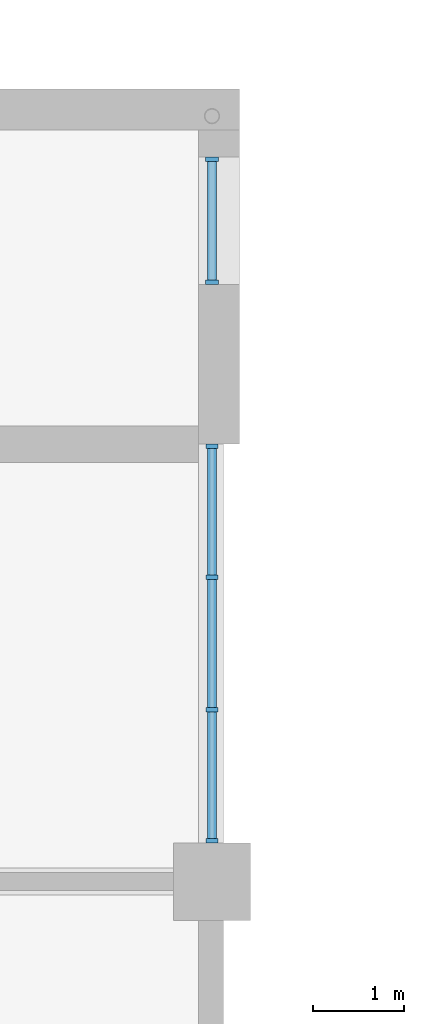
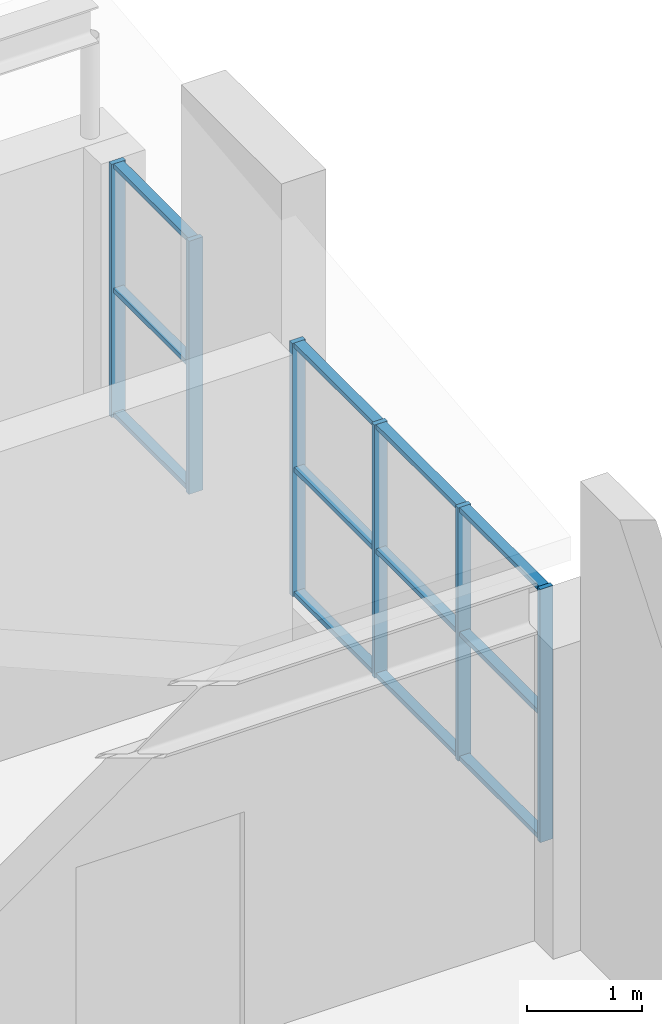
# One storey, part 34 of 94: 18 members, 2 elements without a shape of their own.
"""IFC4 building model written with IfcOpenShell, lengths in metres."""

from ifc_helpers import new_model, si_unit, direction, frame, origin, origin_2d, place, context, subcontext, project, spatial, rectangle, extrude, material, material_profile, profile_set, type_object, element, aggregate, save


model = new_model("IFC4")

# Units and contexts
model_context = context("Model", 3, precision=1e-05, world=origin(), true_north=direction((0.0, 1.0)))
body_context = subcontext(model_context, "Body", "Model", "MODEL_VIEW")
ifc_project = project(units=[si_unit("LENGTHUNIT", "METRE"), si_unit("AREAUNIT", "SQUARE_METRE"), si_unit("VOLUMEUNIT", "CUBIC_METRE"), si_unit("PLANEANGLEUNIT", "RADIAN"), si_unit("MASSUNIT", "GRAM", prefix="KILO")], contexts=[model_context])

# Site, building, storey
site_placement = place(None, origin())
site = spatial("IfcSite", under=ifc_project, at=site_placement, CompositionType="ELEMENT")
building_placement = place(site_placement, origin())
building = spatial("IfcBuilding", under=site, at=building_placement, Name="Yavir Park General Hospital", CompositionType="ELEMENT")
storey_placement = place(building_placement, frame((0.0, 0.0, 4.5)))
storey = spatial("IfcBuildingStorey", under=building, at=storey_placement, Name="L01", CompositionType="ELEMENT", Elevation=4.5)

# Curtain wall, members
ifc_material_1 = material(Name="Aluminium curtain wall frame with insulated glazing", Category="aluminium")
curtain_wall_type_1 = type_object("IfcCurtainWallType", Name="Clinical corridor end glazing, 2700 high, 1400 module", PredefinedType="NOTDEFINED", material=ifc_material_1)
curtain_wall_1_placement = place(storey_placement, origin())
curtain_wall_1 = element("IfcCurtainWall", 1, at=curtain_wall_1_placement, inside=storey, type_object=curtain_wall_type_1, Name="CW54 L01-026", PredefinedType="NOTDEFINED")
ifc_material_2 = material(Name="Aluminium", Category="aluminium")
ifc_material_profile_1 = material_profile(ifc_material_2, rectangle(XDim=0.1298828125, YDim=0.050048828125, at=origin_2d()), Name="AL 50x130")
ifc_profile_set_1 = profile_set([ifc_material_profile_1], Name="Aluminium")
member_type_1 = type_object("IfcMemberType", Name="Clinical corridor end glazing, 2700 high mullion 50 x 130", PredefinedType="MULLION", material=ifc_profile_set_1)
member_1_placement = place(storey_placement, frame((67.199951171875, 67.64990234375, 0.60009765625), z_axis=(0.0, 0.0, 1.0), x_axis=(-1.0, 0.0, 0.0)))
member_1 = element("IfcMember", 2, at=member_1_placement, type_object=member_type_1, Name="CW54 mullion 1", PredefinedType="MULLION", context=body_context, shape_type="SweptSolid", body=[
    extrude(rectangle(XDim=0.1298828125, YDim=0.050048828125, at=origin_2d()), origin(), (0.0, 0.0, 1.0), 2.699951171875),
])
member_2_placement = place(storey_placement, frame((67.199951171875, 69.083251953125, 0.60009765625), z_axis=(0.0, 0.0, 1.0), x_axis=(-1.0, 0.0, 0.0)))
member_2 = element("IfcMember", 3, at=member_2_placement, type_object=member_type_1, Name="CW54 mullion 2", PredefinedType="MULLION", context=body_context, shape_type="SweptSolid", body=[
    extrude(rectangle(XDim=0.1298828125, YDim=0.050048828125, at=origin_2d()), origin(), (0.0, 0.0, 1.0), 2.699951171875),
])
member_3_placement = place(storey_placement, frame((67.199951171875, 70.541748046875, 0.60009765625), z_axis=(0.0, 0.0, 1.0), x_axis=(-1.0, 0.0, 0.0)))
member_3 = element("IfcMember", 4, at=member_3_placement, type_object=member_type_1, Name="CW54 mullion 3", PredefinedType="MULLION", context=body_context, shape_type="SweptSolid", body=[
    extrude(rectangle(XDim=0.1298828125, YDim=0.050048828125, at=origin_2d()), origin(), (0.0, 0.0, 1.0), 2.699951171875),
])
member_4_placement = place(storey_placement, frame((67.199951171875, 71.97509765625, 0.60009765625), z_axis=(0.0, 0.0, 1.0), x_axis=(-1.0, 0.0, 0.0)))
member_4 = element("IfcMember", 5, at=member_4_placement, type_object=member_type_1, Name="CW54 mullion 4", PredefinedType="MULLION", context=body_context, shape_type="SweptSolid", body=[
    extrude(rectangle(XDim=0.1298828125, YDim=0.050048828125, at=origin_2d()), origin(), (0.0, 0.0, 1.0), 2.699951171875),
])
ifc_material_3 = material(Name="Aluminium", Category="aluminium")
ifc_material_profile_2 = material_profile(ifc_material_3, rectangle(XDim=0.10009765625, YDim=0.050048828125, at=origin_2d()), Name="AL 100x50")
ifc_profile_set_2 = profile_set([ifc_material_profile_2], Name="Aluminium")
member_type_2 = type_object("IfcMemberType", Name="Clinical corridor end glazing, 2700 high transom 50 x 100", PredefinedType="MULLION", material=ifc_profile_set_2)
member_5_placement = place(storey_placement, frame((67.199951171875, 67.675048828125, 0.625), z_axis=(0.0, 1.0, 0.0), x_axis=(-1.0, 0.0, 0.0)))
member_5 = element("IfcMember", 6, at=member_5_placement, type_object=member_type_2, Name="CW54 transom 1.1", PredefinedType="MULLION", context=body_context, shape_type="SweptSolid", body=[
    extrude(rectangle(XDim=0.10009765625, YDim=0.050048828125, at=origin_2d()), origin(), (0.0, 0.0, 1.0), 1.38330078125),
])
member_6_placement = place(storey_placement, frame((67.199951171875, 67.675048828125, 1.949951171875), z_axis=(0.0, 1.0, 0.0), x_axis=(-1.0, 0.0, 0.0)))
member_6 = element("IfcMember", 7, at=member_6_placement, type_object=member_type_2, Name="CW54 transom 1.2", PredefinedType="MULLION", context=body_context, shape_type="SweptSolid", body=[
    extrude(rectangle(XDim=0.10009765625, YDim=0.050048828125, at=origin_2d()), origin(), (0.0, 0.0, 1.0), 1.38330078125),
])
member_7_placement = place(storey_placement, frame((67.199951171875, 67.675048828125, 3.27490234375), z_axis=(0.0, 1.0, 0.0), x_axis=(-1.0, 0.0, 0.0)))
member_7 = element("IfcMember", 8, at=member_7_placement, type_object=member_type_2, Name="CW54 transom 1.3", PredefinedType="MULLION", context=body_context, shape_type="SweptSolid", body=[
    extrude(rectangle(XDim=0.10009765625, YDim=0.050048828125, at=origin_2d()), origin(), (0.0, 0.0, 1.0), 1.38330078125),
])
member_8_placement = place(storey_placement, frame((67.199951171875, 69.1083984375, 0.625), z_axis=(0.0, 1.0, 0.0), x_axis=(-1.0, 0.0, 0.0)))
member_8 = element("IfcMember", 9, at=member_8_placement, type_object=member_type_2, Name="CW54 transom 2.1", PredefinedType="MULLION", context=body_context, shape_type="SweptSolid", body=[
    extrude(rectangle(XDim=0.10009765625, YDim=0.050048828125, at=origin_2d()), origin(), (0.0, 0.0, 1.0), 1.408203125),
])
member_9_placement = place(storey_placement, frame((67.199951171875, 69.1083984375, 1.949951171875), z_axis=(0.0, 1.0, 0.0), x_axis=(-1.0, 0.0, 0.0)))
member_9 = element("IfcMember", 10, at=member_9_placement, type_object=member_type_2, Name="CW54 transom 2.2", PredefinedType="MULLION", context=body_context, shape_type="SweptSolid", body=[
    extrude(rectangle(XDim=0.10009765625, YDim=0.050048828125, at=origin_2d()), origin(), (0.0, 0.0, 1.0), 1.408203125),
])
member_10_placement = place(storey_placement, frame((67.199951171875, 69.1083984375, 3.27490234375), z_axis=(0.0, 1.0, 0.0), x_axis=(-1.0, 0.0, 0.0)))
member_10 = element("IfcMember", 11, at=member_10_placement, type_object=member_type_2, Name="CW54 transom 2.3", PredefinedType="MULLION", context=body_context, shape_type="SweptSolid", body=[
    extrude(rectangle(XDim=0.10009765625, YDim=0.050048828125, at=origin_2d()), origin(), (0.0, 0.0, 1.0), 1.408203125),
])
member_11_placement = place(storey_placement, frame((67.199951171875, 70.566650390625, 0.625), z_axis=(0.0, 1.0, 0.0), x_axis=(-1.0, 0.0, 0.0)))
member_11 = element("IfcMember", 12, at=member_11_placement, type_object=member_type_2, Name="CW54 transom 3.1", PredefinedType="MULLION", context=body_context, shape_type="SweptSolid", body=[
    extrude(rectangle(XDim=0.10009765625, YDim=0.050048828125, at=origin_2d()), origin(), (0.0, 0.0, 1.0), 1.38330078125),
])
member_12_placement = place(storey_placement, frame((67.199951171875, 70.566650390625, 1.949951171875), z_axis=(0.0, 1.0, 0.0), x_axis=(-1.0, 0.0, 0.0)))
member_12 = element("IfcMember", 13, at=member_12_placement, type_object=member_type_2, Name="CW54 transom 3.2", PredefinedType="MULLION", context=body_context, shape_type="SweptSolid", body=[
    extrude(rectangle(XDim=0.10009765625, YDim=0.050048828125, at=origin_2d()), origin(), (0.0, 0.0, 1.0), 1.38330078125),
])
member_13_placement = place(storey_placement, frame((67.199951171875, 70.566650390625, 3.27490234375), z_axis=(0.0, 1.0, 0.0), x_axis=(-1.0, 0.0, 0.0)))
member_13 = element("IfcMember", 14, at=member_13_placement, type_object=member_type_2, Name="CW54 transom 3.3", PredefinedType="MULLION", context=body_context, shape_type="SweptSolid", body=[
    extrude(rectangle(XDim=0.10009765625, YDim=0.050048828125, at=origin_2d()), origin(), (0.0, 0.0, 1.0), 1.38330078125),
])
aggregate(curtain_wall_1, [member_1, member_2, member_3, member_4, member_5, member_6, member_7, member_8, member_9, member_10, member_11, member_12, member_13])

ifc_material_4 = material(Name="Aluminium curtain wall frame with insulated glazing", Category="aluminium")
curtain_wall_type_2 = type_object("IfcCurtainWallType", Name="Stair light slot, podium, 2700 high, 1400 module", PredefinedType="NOTDEFINED", material=ifc_material_4)
curtain_wall_2_placement = place(storey_placement, origin())
curtain_wall_2 = element("IfcCurtainWall", 15, at=curtain_wall_2_placement, inside=storey, type_object=curtain_wall_type_2, Name="CW53 L01-027", PredefinedType="NOTDEFINED")
ifc_material_5 = material(Name="Aluminium", Category="aluminium")
ifc_material_profile_3 = material_profile(ifc_material_5, rectangle(XDim=0.139892578125, YDim=0.050048828125, at=origin_2d()), Name="AL 50x140")
ifc_profile_set_3 = profile_set([ifc_material_profile_3], Name="Aluminium")
member_type_3 = type_object("IfcMemberType", Name="Stair light slot, podium, 2700 high mullion 50 x 140", PredefinedType="MULLION", material=ifc_profile_set_3)
member_14_placement = place(storey_placement, frame((67.199951171875, 73.77490234375, 0.60009765625), z_axis=(0.0, 0.0, 1.0), x_axis=(-1.0, 0.0, 0.0)))
member_14 = element("IfcMember", 16, at=member_14_placement, type_object=member_type_3, Name="CW53 mullion 1", PredefinedType="MULLION", context=body_context, shape_type="SweptSolid", body=[
    extrude(rectangle(XDim=0.139892578125, YDim=0.050048828125, at=origin_2d()), origin(), (0.0, 0.0, 1.0), 2.699951171875),
])
member_15_placement = place(storey_placement, frame((67.199951171875, 75.125, 0.60009765625), z_axis=(0.0, 0.0, 1.0), x_axis=(-1.0, 0.0, 0.0)))
member_15 = element("IfcMember", 17, at=member_15_placement, type_object=member_type_3, Name="CW53 mullion 2", PredefinedType="MULLION", context=body_context, shape_type="SweptSolid", body=[
    extrude(rectangle(XDim=0.139892578125, YDim=0.050048828125, at=origin_2d()), origin(), (0.0, 0.0, 1.0), 2.699951171875),
])
ifc_material_6 = material(Name="Aluminium", Category="aluminium")
ifc_material_profile_4 = material_profile(ifc_material_6, rectangle(XDim=0.10009765625, YDim=0.050048828125, at=origin_2d()), Name="AL 100x50")
ifc_profile_set_4 = profile_set([ifc_material_profile_4], Name="Aluminium")
member_type_4 = type_object("IfcMemberType", Name="Stair light slot, podium, 2700 high transom 50 x 100", PredefinedType="MULLION", material=ifc_profile_set_4)
member_16_placement = place(storey_placement, frame((67.199951171875, 73.800048828125, 0.625), z_axis=(0.0, 1.0, 0.0), x_axis=(-1.0, 0.0, 0.0)))
member_16 = element("IfcMember", 18, at=member_16_placement, type_object=member_type_4, Name="CW53 transom 1.1", PredefinedType="MULLION", context=body_context, shape_type="SweptSolid", body=[
    extrude(rectangle(XDim=0.10009765625, YDim=0.050048828125, at=origin_2d()), origin(), (0.0, 0.0, 1.0), 1.300048828125),
])
member_17_placement = place(storey_placement, frame((67.199951171875, 73.800048828125, 1.949951171875), z_axis=(0.0, 1.0, 0.0), x_axis=(-1.0, 0.0, 0.0)))
member_17 = element("IfcMember", 19, at=member_17_placement, type_object=member_type_4, Name="CW53 transom 1.2", PredefinedType="MULLION", context=body_context, shape_type="SweptSolid", body=[
    extrude(rectangle(XDim=0.10009765625, YDim=0.050048828125, at=origin_2d()), origin(), (0.0, 0.0, 1.0), 1.300048828125),
])
member_18_placement = place(storey_placement, frame((67.199951171875, 73.800048828125, 3.27490234375), z_axis=(0.0, 1.0, 0.0), x_axis=(-1.0, 0.0, 0.0)))
member_18 = element("IfcMember", 20, at=member_18_placement, type_object=member_type_4, Name="CW53 transom 1.3", PredefinedType="MULLION", context=body_context, shape_type="SweptSolid", body=[
    extrude(rectangle(XDim=0.10009765625, YDim=0.050048828125, at=origin_2d()), origin(), (0.0, 0.0, 1.0), 1.300048828125),
])
aggregate(curtain_wall_2, [member_14, member_15, member_16, member_17, member_18])

save(model, "model.ifc")
